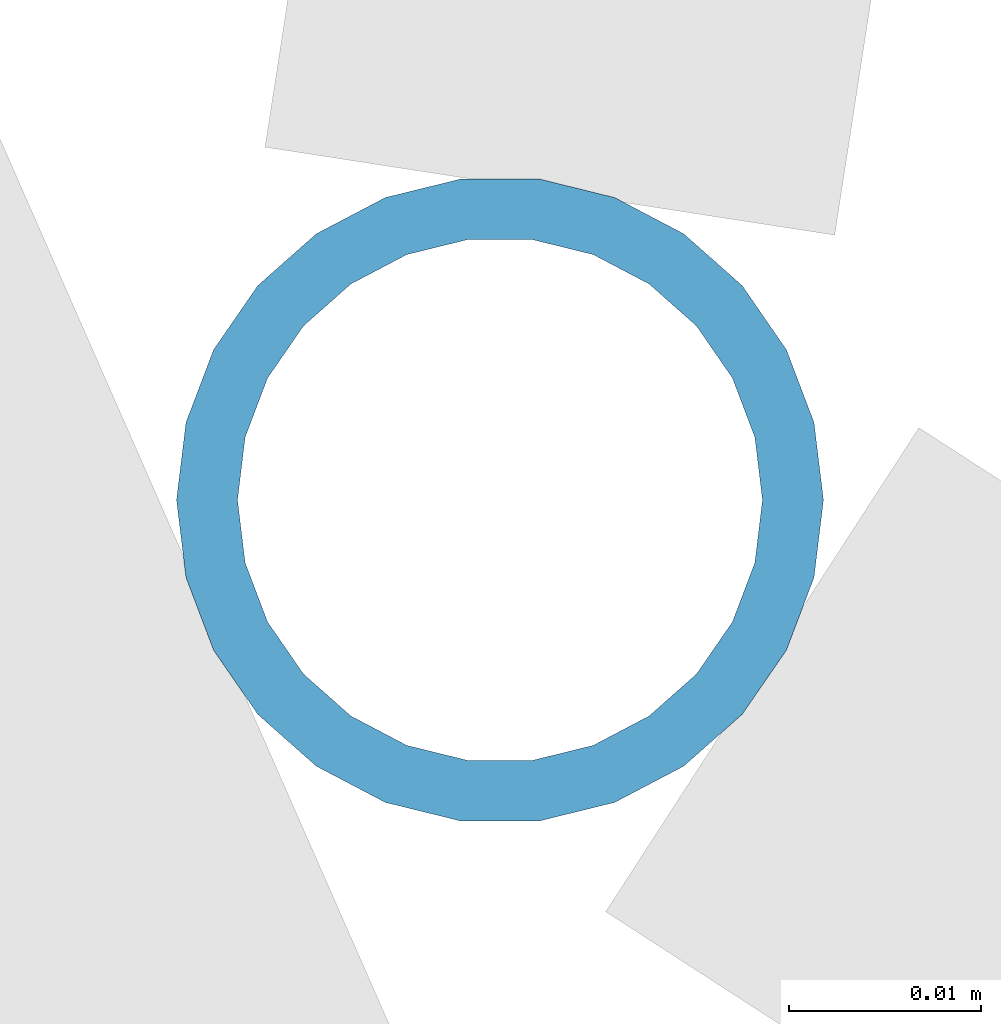
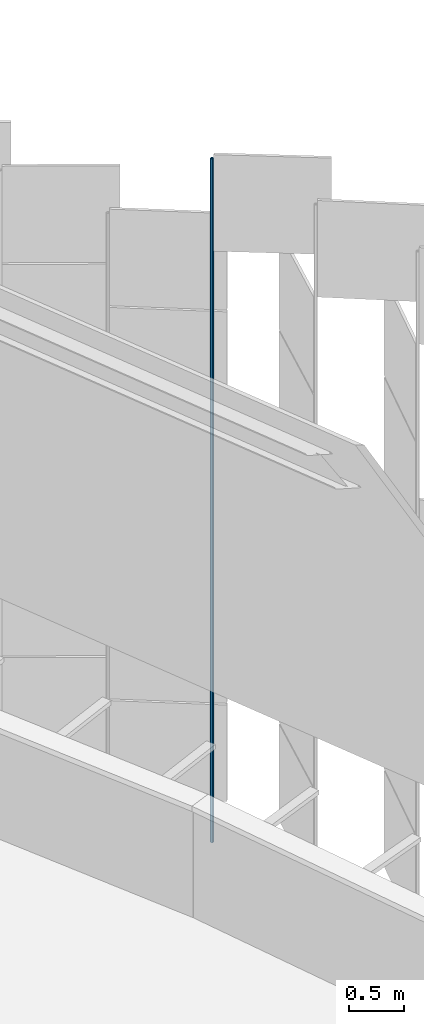
# One storey, part 304 of 483: 1 discrete accessory.
"""IFC4 building model written with IfcOpenShell, lengths in metres."""

from ifc_helpers import new_model, si_unit, direction, frame, origin, origin_2d, place, context, subcontext, project, spatial, hollow_circle, extrude, material, material_profile, profile_set, type_object, element, save


model = new_model("IFC4")

# Units and contexts
model_context = context("Model", 3, precision=1e-05, world=origin(), true_north=direction((0.0, 1.0)))
body_context = subcontext(model_context, "Body", "Model", "MODEL_VIEW")
ifc_project = project(units=[si_unit("LENGTHUNIT", "METRE"), si_unit("AREAUNIT", "SQUARE_METRE"), si_unit("VOLUMEUNIT", "CUBIC_METRE"), si_unit("PLANEANGLEUNIT", "RADIAN"), si_unit("MASSUNIT", "GRAM", prefix="KILO")], contexts=[model_context])

# Site, building, storey
site_placement = place(None, origin())
site = spatial("IfcSite", under=ifc_project, at=site_placement, CompositionType="ELEMENT")
building_placement = place(site_placement, origin())
building = spatial("IfcBuilding", under=site, at=building_placement, Name="Parallax Yard Mobility Hub", CompositionType="ELEMENT")
storey_placement = place(building_placement, frame((0.0, 0.0, 13.199951171875)))
storey = spatial("IfcBuildingStorey", under=building, at=storey_placement, Name="L04", CompositionType="ELEMENT", Elevation=13.199951171875)

# Discrete accessory
ifc_material = material(Name="Steel ASTM A500 Gr C, hot-dip galvanised", Category="steel")
ifc_material_profile = material_profile(ifc_material, hollow_circle(Radius=0.016845703125, WallThickness=0.003173828125, at=origin_2d()), Name="CHS 33.7x3.2")
ifc_profile_set = profile_set([ifc_material_profile], Name="Steel ASTM A500 Gr C, hot-dip galvanised")
discrete_accessory_type = type_object("IfcDiscreteAccessoryType", Name="Hinge post CHS 33.7x3.2", PredefinedType="BRACKET", material=ifc_profile_set)
discrete_accessory_placement = place(storey_placement, frame((221.528076171875, 110.961669921875, 0.0), z_axis=(0.0, 0.0, 1.0), x_axis=(1.0, 0.0, 0.0)))
element("IfcDiscreteAccessory", 1, at=discrete_accessory_placement, inside=storey, type_object=discrete_accessory_type, Name="Hinge post bay 43.5 level L04", PredefinedType="BRACKET", context=body_context, shape_type="SweptSolid", body=[
    extrude(hollow_circle(Radius=0.016845703125, WallThickness=0.003173828125, at=origin_2d()), origin(), (0.0, 0.0, 1.0), 7.650146484375),
])

save(model, "model.ifc")
